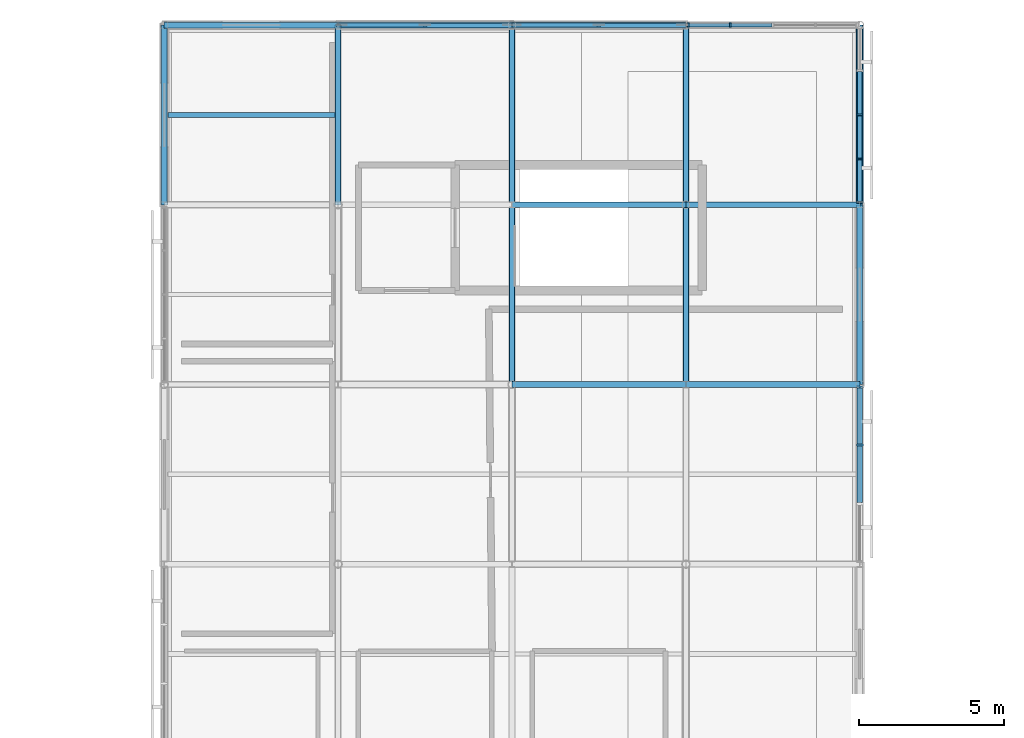
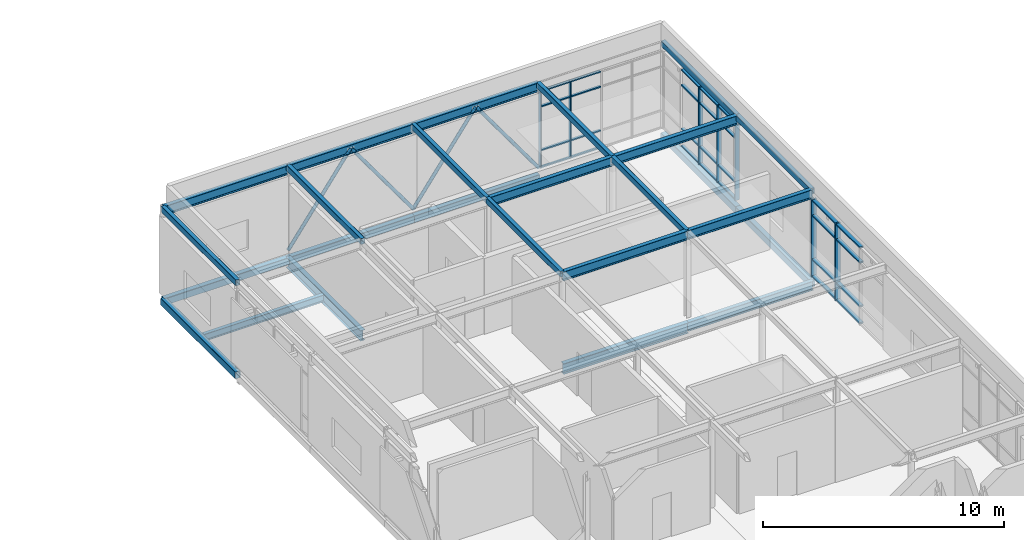
# One storey, part 9 of 16: 39 members, 25 beams, 3 elements without a shape of their own.
"""IFC4 building model written with IfcOpenShell, lengths in metres."""

from ifc_helpers import new_model, si_unit, direction, frame, origin, origin_2d, place, context, subcontext, project, spatial, rectangle, hollow_rectangle, hollow_circle, i_section, extrude, material, layer, layer_set, material_profile, profile_set, type_object, element, aggregate, save


model = new_model("IFC4")

# Units and contexts
model_context = context("Model", 3, precision=1e-05, world=origin(), true_north=direction((0.0, 1.0)))
body_context = subcontext(model_context, "Body", "Model", "MODEL_VIEW")
ifc_project = project(units=[si_unit("LENGTHUNIT", "METRE"), si_unit("AREAUNIT", "SQUARE_METRE"), si_unit("VOLUMEUNIT", "CUBIC_METRE"), si_unit("PLANEANGLEUNIT", "RADIAN"), si_unit("MASSUNIT", "GRAM", prefix="KILO")], contexts=[model_context])

# Site, building, storey
site_placement = place(None, origin())
site = spatial("IfcSite", under=ifc_project, at=site_placement, CompositionType="ELEMENT")
building_placement = place(site_placement, origin())
building = spatial("IfcBuilding", under=site, at=building_placement, Name="Mirzam Square Science Centre", CompositionType="ELEMENT")
storey_placement = place(building_placement, frame((0.0, 0.0, 25.199951171875)))
storey = spatial("IfcBuildingStorey", under=building, at=storey_placement, Name="L05", CompositionType="ELEMENT", Elevation=25.199951171875)

# Beams
ifc_material_1 = material(Name="Steel S355", Category="steel")
ifc_material_profile_1 = material_profile(ifc_material_1, i_section(OverallWidth=0.19140625, OverallDepth=0.4599609375, WebThickness=0.010009765625, FlangeThickness=0.01611328125, FilletRadius=0.01025390625, at=origin_2d()), Name="457x191x82UB")
ifc_profile_set_1 = profile_set([ifc_material_profile_1], Name="Steel S355")
beam_type_1 = type_object("IfcBeamType", Name="BM-UB457", PredefinedType="BEAM", material=ifc_profile_set_1)
for number, where, z_axis, x_axis, name in (
    (1, (132.0, 99.199951171875, -0.47998046875), (1.0, 0.0, 0.0), (0.0, 1.0, 0.0), "L05 girder X23-17"),
    (2, (126.0, 99.199951171875, 4.179931640625), (1.0, 0.0, 0.0), (0.0, 1.0, 0.0), "Observatory roof beam 22-17"),
    (3, (132.0, 99.199951171875, 4.179931640625), (1.0, 0.0, 0.0), (0.0, 1.0, 0.0), "Observatory roof beam 23-17"),
    (4, (126.0, 105.39990234375, 4.179931640625), (1.0, 0.0, 0.0), (0.0, 1.0, 0.0), "Observatory roof beam 22-18"),
    (5, (132.0, 105.39990234375, 4.179931640625), (1.0, 0.0, 0.0), (0.0, 1.0, 0.0), "Observatory roof beam 23-18"),
    (6, (114.0, 111.60009765625, 4.179931640625), (1.0, 0.0, 0.0), (0.0, 1.0, 0.0), "Observatory roof beam 20-19"),
    (7, (120.0, 111.60009765625, 4.179931640625), (1.0, 0.0, 0.0), (0.0, 1.0, 0.0), "Observatory roof beam 21-19"),
    (8, (126.0, 111.60009765625, 4.179931640625), (1.0, 0.0, 0.0), (0.0, 1.0, 0.0), "Observatory roof beam 22-19"),
):
    element("IfcBeam", number, at=place(storey_placement, frame(where, z_axis=z_axis, x_axis=x_axis)), inside=storey, type_object=beam_type_1, Name=name, PredefinedType="BEAM", context=body_context, shape_type="SweptSolid", body=[
        extrude(i_section(OverallWidth=0.19140625, OverallDepth=0.4599609375, WebThickness=0.010009765625, FlangeThickness=0.01611328125, FilletRadius=0.01025390625, at=origin_2d()), origin(), (0.0, 0.0, 1.0), 6.0),
    ])
ifc_material_profile_2 = material_profile(ifc_material_1, i_section(OverallWidth=0.2099609375, OverallDepth=0.53662109375, WebThickness=0.0107421875, FlangeThickness=0.017333984375, FilletRadius=0.0126953125, at=origin_2d()), Name="533x210x101UB")
ifc_profile_set_2 = profile_set([ifc_material_profile_2], Name="Steel S355")
beam_type_2 = type_object("IfcBeamType", Name="BM-UB533", PredefinedType="BEAM", material=ifc_profile_set_2)
beam_1_placement = place(storey_placement, frame((126.0, 99.199951171875, -0.518310546875), z_axis=(1.0, 0.0, 0.0), x_axis=(0.0, 1.0, 0.0)))
element("IfcBeam", 9, at=beam_1_placement, inside=storey, type_object=beam_type_2, Name="L05 girder X22-17", PredefinedType="BEAM", context=body_context, shape_type="SweptSolid", body=[
    extrude(i_section(OverallWidth=0.2099609375, OverallDepth=0.53662109375, WebThickness=0.0107421875, FlangeThickness=0.017333984375, FilletRadius=0.0126953125, at=origin_2d()), origin(), (0.0, 0.0, 1.0), 6.0),
])
beam_2_placement = place(storey_placement, frame((120.0, 105.39990234375, -0.518310546875), z_axis=(0.0, 1.0, 0.0), x_axis=(-1.0, 0.0, 0.0)))
element("IfcBeam", 10, at=beam_2_placement, inside=storey, type_object=beam_type_2, Name="L05 girder Y21-18", PredefinedType="BEAM", context=body_context, shape_type="SweptSolid", body=[
    extrude(i_section(OverallWidth=0.2099609375, OverallDepth=0.53662109375, WebThickness=0.0107421875, FlangeThickness=0.017333984375, FilletRadius=0.0126953125, at=origin_2d()), origin(), (0.0, 0.0, 1.0), 6.2001953125),
])

# Members
ifc_material_profile_3 = material_profile(ifc_material_1, hollow_circle(Radius=0.084228515625, WallThickness=0.008056640625, at=origin_2d()), Name="168.3x8.0CHS")
ifc_profile_set_3 = profile_set([ifc_material_profile_3], Name="Steel S355")
member_type_1 = type_object("IfcMemberType", Name="BR-CHS168", PredefinedType="BRACE", material=ifc_profile_set_3)
for number, where, z_axis, x_axis, name in (
    (11, (120.0, 111.60009765625, 0.050048828125), (0.587716587517, 0.0, 0.809066877803), (0.0, 1.0, 0.0), "L05 chevron brace 8A"),
    (12, (126.0, 111.60009765625, 0.050048828125), (-0.587716587517, 0.0, 0.809066877803), (0.0, -1.0, 0.0), "L05 chevron brace 8B"),
    (13, (126.0, 111.60009765625, 0.050048828125), (0.587716587517, 0.0, 0.809066877803), (0.0, 1.0, 0.0), "L05 chevron brace 9A"),
    (14, (132.0, 111.60009765625, 0.050048828125), (-0.587716587517, 0.0, 0.809066877803), (0.0, -1.0, 0.0), "L05 chevron brace 9B"),
):
    element("IfcMember", number, at=place(storey_placement, frame(where, z_axis=z_axis, x_axis=x_axis)), inside=storey, type_object=member_type_1, Name=name, PredefinedType="BRACE", context=body_context, shape_type="SweptSolid", body=[
        extrude(hollow_circle(Radius=0.084228515625, WallThickness=0.008056640625, at=origin_2d()), origin(), (0.0, 0.0, 1.0), 5.1044921875),
    ])

# Curtain wall, members
ifc_material_2 = material(Name="Anodised Aluminium and Low-E Solar Glass", Category="aluminium")
ifc_layer_1 = layer(ifc_material_2, 0.159912109375)
ifc_layer_set_1 = layer_set([ifc_layer_1], Name="CW-COURT-B")
curtain_wall_type_1 = type_object("IfcCurtainWallType", Name="CW-COURT-B", PredefinedType="USERDEFINED", material=ifc_layer_set_1)
curtain_wall_1_placement = place(storey_placement, origin())
curtain_wall_1 = element("IfcCurtainWall", 15, at=curtain_wall_1_placement, inside=storey, type_object=curtain_wall_type_1, Name="L05 unitised curtain wall 170", ObjectType="UNITISED CURTAIN WALL", PredefinedType="USERDEFINED")
ifc_material_3 = material(Name="Anodised Architectural Aluminium 6063-T6", Category="aluminium")
ifc_material_profile_4 = material_profile(ifc_material_3, rectangle(XDim=0.06005859375, YDim=0.159912109375, at=origin_2d()), Name="ALU-MULL-160x60x4")
ifc_profile_set_4 = profile_set([ifc_material_profile_4], Name="Anodised Architectural Aluminium 6063-T6")
member_type_2 = type_object("IfcMemberType", Name="CWM-160", PredefinedType="MULLION", material=ifc_profile_set_4)
member_1_placement = place(storey_placement, frame((133.527587890625, 111.60009765625, 0.0), z_axis=(0.0, 0.0, 1.0), x_axis=(-1.0, 0.0, 0.0)))
member_1 = element("IfcMember", 16, at=member_1_placement, type_object=member_type_2, Name="CW-04 mullion 4", PredefinedType="MULLION", context=body_context, shape_type="SweptSolid", body=[
    extrude(rectangle(XDim=0.06005859375, YDim=0.159912109375, at=origin_2d()), origin(), (0.0, 0.0, 1.0), 3.920166015625),
])
member_2_placement = place(storey_placement, frame((132.0849609375, 111.60009765625, 0.0), z_axis=(0.0, 0.0, 1.0), x_axis=(-1.0, 0.0, 0.0)))
member_2 = element("IfcMember", 17, at=member_2_placement, type_object=member_type_2, Name="CW-04 mullion 5", PredefinedType="MULLION", context=body_context, shape_type="SweptSolid", body=[
    extrude(rectangle(XDim=0.06005859375, YDim=0.159912109375, at=origin_2d()), origin(), (0.0, 0.0, 1.0), 3.920166015625),
])

ifc_layer_2 = layer(ifc_material_2, 0.179931640625)
ifc_layer_set_2 = layer_set([ifc_layer_2], Name="CW-LINK-A")
curtain_wall_type_2 = type_object("IfcCurtainWallType", Name="CW-LINK-A", PredefinedType="USERDEFINED", material=ifc_layer_set_2)
curtain_wall_2_placement = place(storey_placement, origin())
curtain_wall_2 = element("IfcCurtainWall", 18, at=curtain_wall_2_placement, inside=storey, type_object=curtain_wall_type_2, Name="L05 unitised curtain wall 169", ObjectType="UNITISED CURTAIN WALL", PredefinedType="USERDEFINED")
ifc_material_profile_5 = material_profile(ifc_material_3, rectangle(XDim=0.06494140625, YDim=0.199951171875, at=origin_2d()), Name="ALU-MULL-200x65x5")
ifc_profile_set_5 = profile_set([ifc_material_profile_5], Name="Anodised Architectural Aluminium 6063-T6")
member_type_3 = type_object("IfcMemberType", Name="CWM-200", PredefinedType="MULLION", material=ifc_profile_set_5)
member_3_placement = place(storey_placement, frame((138.0, 105.487548828125, 0.0), z_axis=(0.0, 0.0, 1.0), x_axis=(0.0, 1.0, 0.0)))
member_3 = element("IfcMember", 19, at=member_3_placement, type_object=member_type_3, Name="CW-08 mullion 1", PredefinedType="MULLION", context=body_context, shape_type="SweptSolid", body=[
    extrude(rectangle(XDim=0.06494140625, YDim=0.199951171875, at=origin_2d()), origin(), (0.0, 0.0, 1.0), 3.920166015625),
])
member_4_placement = place(storey_placement, frame((138.0, 106.9775390625, 0.0), z_axis=(0.0, 0.0, 1.0), x_axis=(0.0, 1.0, 0.0)))
member_4 = element("IfcMember", 20, at=member_4_placement, type_object=member_type_3, Name="CW-08 mullion 2", PredefinedType="MULLION", context=body_context, shape_type="SweptSolid", body=[
    extrude(rectangle(XDim=0.06494140625, YDim=0.199951171875, at=origin_2d()), origin(), (0.0, 0.0, 1.0), 3.920166015625),
])
member_5_placement = place(storey_placement, frame((138.0, 108.5, 0.0), z_axis=(0.0, 0.0, 1.0), x_axis=(0.0, 1.0, 0.0)))
member_5 = element("IfcMember", 21, at=member_5_placement, type_object=member_type_3, Name="CW-08 mullion 3", PredefinedType="MULLION", context=body_context, shape_type="SweptSolid", body=[
    extrude(rectangle(XDim=0.06494140625, YDim=0.199951171875, at=origin_2d()), origin(), (0.0, 0.0, 1.0), 3.920166015625),
])

ifc_layer_3 = layer(ifc_material_2, 0.239990234375)
ifc_layer_set_3 = layer_set([ifc_layer_3], Name="CW-EAST-B")
curtain_wall_type_3 = type_object("IfcCurtainWallType", Name="CW-EAST-B", PredefinedType="USERDEFINED", material=ifc_layer_set_3)
curtain_wall_3_placement = place(storey_placement, origin())
curtain_wall_3 = element("IfcCurtainWall", 22, at=curtain_wall_3_placement, inside=storey, type_object=curtain_wall_type_3, Name="L05 unitised curtain wall 168", ObjectType="UNITISED CURTAIN WALL", PredefinedType="USERDEFINED")
ifc_material_profile_6 = material_profile(ifc_material_3, rectangle(XDim=0.074951171875, YDim=0.239990234375, at=origin_2d()), Name="ALU-MULL-240x75x5")
ifc_profile_set_6 = profile_set([ifc_material_profile_6], Name="Anodised Architectural Aluminium 6063-T6")
member_type_4 = type_object("IfcMemberType", Name="CWM-240", PredefinedType="MULLION", material=ifc_profile_set_6)
member_6_placement = place(storey_placement, frame((138.0, 97.114990234375, 0.0), z_axis=(0.0, 0.0, 1.0), x_axis=(0.0, 1.0, 0.0)))
member_6 = element("IfcMember", 23, at=member_6_placement, type_object=member_type_4, Name="CW-06 mullion 3", PredefinedType="MULLION", context=body_context, shape_type="SweptSolid", body=[
    extrude(rectangle(XDim=0.074951171875, YDim=0.239990234375, at=origin_2d()), origin(), (0.0, 0.0, 1.0), 3.920166015625),
])
member_7_placement = place(storey_placement, frame((138.0, 99.107421875, 0.0), z_axis=(0.0, 0.0, 1.0), x_axis=(0.0, 1.0, 0.0)))
member_7 = element("IfcMember", 24, at=member_7_placement, type_object=member_type_4, Name="CW-06 mullion 4", PredefinedType="MULLION", context=body_context, shape_type="SweptSolid", body=[
    extrude(rectangle(XDim=0.074951171875, YDim=0.239990234375, at=origin_2d()), origin(), (0.0, 0.0, 1.0), 3.920166015625),
])

# Member
ifc_material_profile_7 = material_profile(ifc_material_3, rectangle(XDim=0.1201171875, YDim=0.06005859375, at=origin_2d()), Name="ALU-TRAN-120x60x4")
ifc_profile_set_7 = profile_set([ifc_material_profile_7], Name="Anodised Architectural Aluminium 6063-T6")
member_type_5 = type_object("IfcMemberType", Name="CWT-120", PredefinedType="USERDEFINED", material=ifc_profile_set_7)
member_8_placement = place(storey_placement, frame((134.969970703125, 111.60009765625, 0.030029296875), z_axis=(-1.0, 0.0, 0.0), x_axis=(0.0, -1.0, 0.0)))
member_8 = element("IfcMember", 25, at=member_8_placement, type_object=member_type_5, Name="CW-04 transom 3.1", ObjectType="TRANSOM", PredefinedType="USERDEFINED", context=body_context, shape_type="SweptSolid", body=[
    extrude(rectangle(XDim=0.1201171875, YDim=0.06005859375, at=origin_2d()), origin(), (0.0, 0.0, 1.0), 1.412353515625),
])

member_9_placement = place(storey_placement, frame((134.969970703125, 111.60009765625, 0.900146484375), z_axis=(-1.0, 0.0, 0.0), x_axis=(0.0, -1.0, 0.0)))
member_9 = element("IfcMember", 26, at=member_9_placement, type_object=member_type_5, Name="CW-04 transom 3.2", ObjectType="TRANSOM", PredefinedType="USERDEFINED", context=body_context, shape_type="SweptSolid", body=[
    extrude(rectangle(XDim=0.1201171875, YDim=0.06005859375, at=origin_2d()), origin(), (0.0, 0.0, 1.0), 1.412353515625),
])

member_10_placement = place(storey_placement, frame((134.969970703125, 111.60009765625, 3.1201171875), z_axis=(-1.0, 0.0, 0.0), x_axis=(0.0, -1.0, 0.0)))
member_10 = element("IfcMember", 27, at=member_10_placement, type_object=member_type_5, Name="CW-04 transom 3.3", ObjectType="TRANSOM", PredefinedType="USERDEFINED", context=body_context, shape_type="SweptSolid", body=[
    extrude(rectangle(XDim=0.1201171875, YDim=0.06005859375, at=origin_2d()), origin(), (0.0, 0.0, 1.0), 1.412353515625),
])

member_11_placement = place(storey_placement, frame((134.969970703125, 111.60009765625, 3.89013671875), z_axis=(-1.0, 0.0, 0.0), x_axis=(0.0, -1.0, 0.0)))
member_11 = element("IfcMember", 28, at=member_11_placement, type_object=member_type_5, Name="CW-04 transom 3.4", ObjectType="TRANSOM", PredefinedType="USERDEFINED", context=body_context, shape_type="SweptSolid", body=[
    extrude(rectangle(XDim=0.1201171875, YDim=0.06005859375, at=origin_2d()), origin(), (0.0, 0.0, 1.0), 1.412353515625),
])

member_12_placement = place(storey_placement, frame((133.49755859375, 111.60009765625, 0.030029296875), z_axis=(-1.0, 0.0, 0.0), x_axis=(0.0, -1.0, 0.0)))
member_12 = element("IfcMember", 29, at=member_12_placement, type_object=member_type_5, Name="CW-04 transom 4.1", ObjectType="TRANSOM", PredefinedType="USERDEFINED", context=body_context, shape_type="SweptSolid", body=[
    extrude(rectangle(XDim=0.1201171875, YDim=0.06005859375, at=origin_2d()), origin(), (0.0, 0.0, 1.0), 1.382568359375),
])

member_13_placement = place(storey_placement, frame((133.49755859375, 111.60009765625, 0.900146484375), z_axis=(-1.0, 0.0, 0.0), x_axis=(0.0, -1.0, 0.0)))
member_13 = element("IfcMember", 30, at=member_13_placement, type_object=member_type_5, Name="CW-04 transom 4.2", ObjectType="TRANSOM", PredefinedType="USERDEFINED", context=body_context, shape_type="SweptSolid", body=[
    extrude(rectangle(XDim=0.1201171875, YDim=0.06005859375, at=origin_2d()), origin(), (0.0, 0.0, 1.0), 1.382568359375),
])

member_14_placement = place(storey_placement, frame((133.49755859375, 111.60009765625, 3.1201171875), z_axis=(-1.0, 0.0, 0.0), x_axis=(0.0, -1.0, 0.0)))
member_14 = element("IfcMember", 31, at=member_14_placement, type_object=member_type_5, Name="CW-04 transom 4.3", ObjectType="TRANSOM", PredefinedType="USERDEFINED", context=body_context, shape_type="SweptSolid", body=[
    extrude(rectangle(XDim=0.1201171875, YDim=0.06005859375, at=origin_2d()), origin(), (0.0, 0.0, 1.0), 1.382568359375),
])

member_15_placement = place(storey_placement, frame((133.49755859375, 111.60009765625, 3.89013671875), z_axis=(-1.0, 0.0, 0.0), x_axis=(0.0, -1.0, 0.0)))
member_15 = element("IfcMember", 32, at=member_15_placement, type_object=member_type_5, Name="CW-04 transom 4.4", ObjectType="TRANSOM", PredefinedType="USERDEFINED", context=body_context, shape_type="SweptSolid", body=[
    extrude(rectangle(XDim=0.1201171875, YDim=0.06005859375, at=origin_2d()), origin(), (0.0, 0.0, 1.0), 1.382568359375),
])

aggregate(curtain_wall_1, [member_1, member_2, member_8, member_9, member_10, member_11, member_12, member_13, member_14, member_15])

ifc_material_profile_8 = material_profile(ifc_material_3, rectangle(XDim=0.14990234375, YDim=0.06494140625, at=origin_2d()), Name="ALU-TRAN-150x65x4")
ifc_profile_set_8 = profile_set([ifc_material_profile_8], Name="Anodised Architectural Aluminium 6063-T6")
member_type_6 = type_object("IfcMemberType", Name="CWT-150", PredefinedType="USERDEFINED", material=ifc_profile_set_8)
member_16_placement = place(storey_placement, frame((138.0, 105.52001953125, 0.032470703125), z_axis=(0.0, 1.0, 0.0), x_axis=(-1.0, 0.0, 0.0)))
member_16 = element("IfcMember", 33, at=member_16_placement, type_object=member_type_6, Name="CW-08 transom 1.1", ObjectType="TRANSOM", PredefinedType="USERDEFINED", context=body_context, shape_type="SweptSolid", body=[
    extrude(rectangle(XDim=0.14990234375, YDim=0.06494140625, at=origin_2d()), origin(), (0.0, 0.0, 1.0), 1.425048828125),
])

member_17_placement = place(storey_placement, frame((138.0, 105.52001953125, 0.900146484375), z_axis=(0.0, 1.0, 0.0), x_axis=(-1.0, 0.0, 0.0)))
member_17 = element("IfcMember", 34, at=member_17_placement, type_object=member_type_6, Name="CW-08 transom 1.2", ObjectType="TRANSOM", PredefinedType="USERDEFINED", context=body_context, shape_type="SweptSolid", body=[
    extrude(rectangle(XDim=0.14990234375, YDim=0.06494140625, at=origin_2d()), origin(), (0.0, 0.0, 1.0), 1.425048828125),
])

member_18_placement = place(storey_placement, frame((138.0, 105.52001953125, 3.1201171875), z_axis=(0.0, 1.0, 0.0), x_axis=(-1.0, 0.0, 0.0)))
member_18 = element("IfcMember", 35, at=member_18_placement, type_object=member_type_6, Name="CW-08 transom 1.3", ObjectType="TRANSOM", PredefinedType="USERDEFINED", context=body_context, shape_type="SweptSolid", body=[
    extrude(rectangle(XDim=0.14990234375, YDim=0.06494140625, at=origin_2d()), origin(), (0.0, 0.0, 1.0), 1.425048828125),
])

member_19_placement = place(storey_placement, frame((138.0, 105.52001953125, 3.887451171875), z_axis=(0.0, 1.0, 0.0), x_axis=(-1.0, 0.0, 0.0)))
member_19 = element("IfcMember", 36, at=member_19_placement, type_object=member_type_6, Name="CW-08 transom 1.4", ObjectType="TRANSOM", PredefinedType="USERDEFINED", context=body_context, shape_type="SweptSolid", body=[
    extrude(rectangle(XDim=0.14990234375, YDim=0.06494140625, at=origin_2d()), origin(), (0.0, 0.0, 1.0), 1.425048828125),
])

member_20_placement = place(storey_placement, frame((138.0, 107.010009765625, 0.032470703125), z_axis=(0.0, 1.0, 0.0), x_axis=(-1.0, 0.0, 0.0)))
member_20 = element("IfcMember", 37, at=member_20_placement, type_object=member_type_6, Name="CW-08 transom 2.1", ObjectType="TRANSOM", PredefinedType="USERDEFINED", context=body_context, shape_type="SweptSolid", body=[
    extrude(rectangle(XDim=0.14990234375, YDim=0.06494140625, at=origin_2d()), origin(), (0.0, 0.0, 1.0), 1.45751953125),
])

member_21_placement = place(storey_placement, frame((138.0, 107.010009765625, 0.900146484375), z_axis=(0.0, 1.0, 0.0), x_axis=(-1.0, 0.0, 0.0)))
member_21 = element("IfcMember", 38, at=member_21_placement, type_object=member_type_6, Name="CW-08 transom 2.2", ObjectType="TRANSOM", PredefinedType="USERDEFINED", context=body_context, shape_type="SweptSolid", body=[
    extrude(rectangle(XDim=0.14990234375, YDim=0.06494140625, at=origin_2d()), origin(), (0.0, 0.0, 1.0), 1.45751953125),
])

member_22_placement = place(storey_placement, frame((138.0, 107.010009765625, 3.1201171875), z_axis=(0.0, 1.0, 0.0), x_axis=(-1.0, 0.0, 0.0)))
member_22 = element("IfcMember", 39, at=member_22_placement, type_object=member_type_6, Name="CW-08 transom 2.3", ObjectType="TRANSOM", PredefinedType="USERDEFINED", context=body_context, shape_type="SweptSolid", body=[
    extrude(rectangle(XDim=0.14990234375, YDim=0.06494140625, at=origin_2d()), origin(), (0.0, 0.0, 1.0), 1.45751953125),
])

member_23_placement = place(storey_placement, frame((138.0, 107.010009765625, 3.887451171875), z_axis=(0.0, 1.0, 0.0), x_axis=(-1.0, 0.0, 0.0)))
member_23 = element("IfcMember", 40, at=member_23_placement, type_object=member_type_6, Name="CW-08 transom 2.4", ObjectType="TRANSOM", PredefinedType="USERDEFINED", context=body_context, shape_type="SweptSolid", body=[
    extrude(rectangle(XDim=0.14990234375, YDim=0.06494140625, at=origin_2d()), origin(), (0.0, 0.0, 1.0), 1.45751953125),
])

member_24_placement = place(storey_placement, frame((138.0, 108.532470703125, 0.032470703125), z_axis=(0.0, 1.0, 0.0), x_axis=(-1.0, 0.0, 0.0)))
member_24 = element("IfcMember", 41, at=member_24_placement, type_object=member_type_6, Name="CW-08 transom 3.1", ObjectType="TRANSOM", PredefinedType="USERDEFINED", context=body_context, shape_type="SweptSolid", body=[
    extrude(rectangle(XDim=0.14990234375, YDim=0.06494140625, at=origin_2d()), origin(), (0.0, 0.0, 1.0), 1.45751953125),
])

member_25_placement = place(storey_placement, frame((138.0, 108.532470703125, 0.900146484375), z_axis=(0.0, 1.0, 0.0), x_axis=(-1.0, 0.0, 0.0)))
member_25 = element("IfcMember", 42, at=member_25_placement, type_object=member_type_6, Name="CW-08 transom 3.2", ObjectType="TRANSOM", PredefinedType="USERDEFINED", context=body_context, shape_type="SweptSolid", body=[
    extrude(rectangle(XDim=0.14990234375, YDim=0.06494140625, at=origin_2d()), origin(), (0.0, 0.0, 1.0), 1.45751953125),
])

member_26_placement = place(storey_placement, frame((138.0, 108.532470703125, 3.1201171875), z_axis=(0.0, 1.0, 0.0), x_axis=(-1.0, 0.0, 0.0)))
member_26 = element("IfcMember", 43, at=member_26_placement, type_object=member_type_6, Name="CW-08 transom 3.3", ObjectType="TRANSOM", PredefinedType="USERDEFINED", context=body_context, shape_type="SweptSolid", body=[
    extrude(rectangle(XDim=0.14990234375, YDim=0.06494140625, at=origin_2d()), origin(), (0.0, 0.0, 1.0), 1.45751953125),
])

member_27_placement = place(storey_placement, frame((138.0, 108.532470703125, 3.887451171875), z_axis=(0.0, 1.0, 0.0), x_axis=(-1.0, 0.0, 0.0)))
member_27 = element("IfcMember", 44, at=member_27_placement, type_object=member_type_6, Name="CW-08 transom 3.4", ObjectType="TRANSOM", PredefinedType="USERDEFINED", context=body_context, shape_type="SweptSolid", body=[
    extrude(rectangle(XDim=0.14990234375, YDim=0.06494140625, at=origin_2d()), origin(), (0.0, 0.0, 1.0), 1.45751953125),
])

aggregate(curtain_wall_2, [member_3, member_4, member_5, member_16, member_17, member_18, member_19, member_20, member_21, member_22, member_23, member_24, member_25, member_26, member_27])

ifc_material_profile_9 = material_profile(ifc_material_3, rectangle(XDim=0.179931640625, YDim=0.074951171875, at=origin_2d()), Name="ALU-TRAN-180x75x5")
ifc_profile_set_9 = profile_set([ifc_material_profile_9], Name="Anodised Architectural Aluminium 6063-T6")
member_type_7 = type_object("IfcMemberType", Name="CWT-180", PredefinedType="USERDEFINED", material=ifc_profile_set_9)
member_28_placement = place(storey_placement, frame((138.0, 95.12255859375, 0.03759765625), z_axis=(0.0, 1.0, 0.0), x_axis=(-1.0, 0.0, 0.0)))
member_28 = element("IfcMember", 45, at=member_28_placement, type_object=member_type_7, Name="CW-06 transom 2.1", ObjectType="TRANSOM", PredefinedType="USERDEFINED", context=body_context, shape_type="SweptSolid", body=[
    extrude(rectangle(XDim=0.179931640625, YDim=0.074951171875, at=origin_2d()), origin(), (0.0, 0.0, 1.0), 1.954833984375),
])

member_29_placement = place(storey_placement, frame((138.0, 95.12255859375, 0.900146484375), z_axis=(0.0, 1.0, 0.0), x_axis=(-1.0, 0.0, 0.0)))
member_29 = element("IfcMember", 46, at=member_29_placement, type_object=member_type_7, Name="CW-06 transom 2.2", ObjectType="TRANSOM", PredefinedType="USERDEFINED", context=body_context, shape_type="SweptSolid", body=[
    extrude(rectangle(XDim=0.179931640625, YDim=0.074951171875, at=origin_2d()), origin(), (0.0, 0.0, 1.0), 1.954833984375),
])

member_30_placement = place(storey_placement, frame((138.0, 95.12255859375, 3.1201171875), z_axis=(0.0, 1.0, 0.0), x_axis=(-1.0, 0.0, 0.0)))
member_30 = element("IfcMember", 47, at=member_30_placement, type_object=member_type_7, Name="CW-06 transom 2.3", ObjectType="TRANSOM", PredefinedType="USERDEFINED", context=body_context, shape_type="SweptSolid", body=[
    extrude(rectangle(XDim=0.179931640625, YDim=0.074951171875, at=origin_2d()), origin(), (0.0, 0.0, 1.0), 1.954833984375),
])

member_31_placement = place(storey_placement, frame((138.0, 95.12255859375, 3.882568359375), z_axis=(0.0, 1.0, 0.0), x_axis=(-1.0, 0.0, 0.0)))
member_31 = element("IfcMember", 48, at=member_31_placement, type_object=member_type_7, Name="CW-06 transom 2.4", ObjectType="TRANSOM", PredefinedType="USERDEFINED", context=body_context, shape_type="SweptSolid", body=[
    extrude(rectangle(XDim=0.179931640625, YDim=0.074951171875, at=origin_2d()), origin(), (0.0, 0.0, 1.0), 1.954833984375),
])

member_32_placement = place(storey_placement, frame((138.0, 97.152587890625, 0.03759765625), z_axis=(0.0, 1.0, 0.0), x_axis=(-1.0, 0.0, 0.0)))
member_32 = element("IfcMember", 49, at=member_32_placement, type_object=member_type_7, Name="CW-06 transom 3.1", ObjectType="TRANSOM", PredefinedType="USERDEFINED", context=body_context, shape_type="SweptSolid", body=[
    extrude(rectangle(XDim=0.179931640625, YDim=0.074951171875, at=origin_2d()), origin(), (0.0, 0.0, 1.0), 1.91748046875),
])

member_33_placement = place(storey_placement, frame((138.0, 97.152587890625, 0.900146484375), z_axis=(0.0, 1.0, 0.0), x_axis=(-1.0, 0.0, 0.0)))
member_33 = element("IfcMember", 50, at=member_33_placement, type_object=member_type_7, Name="CW-06 transom 3.2", ObjectType="TRANSOM", PredefinedType="USERDEFINED", context=body_context, shape_type="SweptSolid", body=[
    extrude(rectangle(XDim=0.179931640625, YDim=0.074951171875, at=origin_2d()), origin(), (0.0, 0.0, 1.0), 1.91748046875),
])

member_34_placement = place(storey_placement, frame((138.0, 97.152587890625, 3.1201171875), z_axis=(0.0, 1.0, 0.0), x_axis=(-1.0, 0.0, 0.0)))
member_34 = element("IfcMember", 51, at=member_34_placement, type_object=member_type_7, Name="CW-06 transom 3.3", ObjectType="TRANSOM", PredefinedType="USERDEFINED", context=body_context, shape_type="SweptSolid", body=[
    extrude(rectangle(XDim=0.179931640625, YDim=0.074951171875, at=origin_2d()), origin(), (0.0, 0.0, 1.0), 1.91748046875),
])

member_35_placement = place(storey_placement, frame((138.0, 97.152587890625, 3.882568359375), z_axis=(0.0, 1.0, 0.0), x_axis=(-1.0, 0.0, 0.0)))
member_35 = element("IfcMember", 52, at=member_35_placement, type_object=member_type_7, Name="CW-06 transom 3.4", ObjectType="TRANSOM", PredefinedType="USERDEFINED", context=body_context, shape_type="SweptSolid", body=[
    extrude(rectangle(XDim=0.179931640625, YDim=0.074951171875, at=origin_2d()), origin(), (0.0, 0.0, 1.0), 1.91748046875),
])

aggregate(curtain_wall_3, [member_6, member_7, member_28, member_29, member_30, member_31, member_32, member_33, member_34, member_35])

# Beams
ifc_material_profile_10 = material_profile(ifc_material_1, i_section(OverallWidth=0.172119140625, OverallDepth=0.35791015625, WebThickness=0.008056640625, FlangeThickness=0.012939453125, FilletRadius=0.01025390625, at=origin_2d()), Name="356x171x57UB")
ifc_profile_set_10 = profile_set([ifc_material_profile_10], Name="Steel S355")
beam_type_3 = type_object("IfcBeamType", Name="JS-UB356", PredefinedType="JOIST", material=ifc_profile_set_10)
beam_3_placement = place(storey_placement, frame((114.125, 108.5, -0.428955078125), z_axis=(1.0, 0.0, 0.0), x_axis=(0.0, 1.0, 0.0)))
element("IfcBeam", 53, at=beam_3_placement, inside=storey, type_object=beam_type_3, Name="L05 composite joist 20-18", PredefinedType="JOIST", context=body_context, shape_type="SweptSolid", body=[
    extrude(i_section(OverallWidth=0.172119140625, OverallDepth=0.35791015625, WebThickness=0.008056640625, FlangeThickness=0.012939453125, FilletRadius=0.01025390625, at=origin_2d()), origin(), (0.0, 0.0, 1.0), 5.77001953125),
])
ifc_material_profile_11 = material_profile(ifc_material_1, hollow_rectangle(XDim=0.199951171875, YDim=0.300048828125, WallThickness=0.010009765625, InnerFilletRadius=0.010009765625, OuterFilletRadius=0.02001953125, at=origin_2d()), Name="300x200x10.0RHS")
ifc_profile_set_11 = profile_set([ifc_material_profile_11], Name="Steel S355")
beam_type_4 = type_object("IfcBeamType", Name="SP-RHS300", PredefinedType="SPANDREL", material=ifc_profile_set_11)
for number, where, z_axis, x_axis, name in (
    (54, (114.0, 105.39990234375, 4.260009765625), (0.0, 1.0, 0.0), (-1.0, 0.0, 0.0), "Observatory roof edge beam 20-18"),
    (55, (120.0, 105.39990234375, 4.260009765625), (0.0, 1.0, 0.0), (-1.0, 0.0, 0.0), "Observatory roof edge beam 21-18"),
):
    element("IfcBeam", number, at=place(storey_placement, frame(where, z_axis=z_axis, x_axis=x_axis)), inside=storey, type_object=beam_type_4, Name=name, PredefinedType="SPANDREL", context=body_context, shape_type="SweptSolid", body=[
        extrude(hollow_rectangle(XDim=0.199951171875, YDim=0.300048828125, WallThickness=0.010009765625, InnerFilletRadius=0.010009765625, OuterFilletRadius=0.02001953125, at=origin_2d()), origin(), (0.0, 0.0, 1.0), 6.2001953125),
    ])
beam_4_placement = place(storey_placement, frame((126.0, 99.199951171875, 4.260009765625), z_axis=(0.0, 1.0, 0.0), x_axis=(-1.0, 0.0, 0.0)))
element("IfcBeam", 56, at=beam_4_placement, inside=storey, type_object=beam_type_4, Name="Observatory roof edge beam 22-17", PredefinedType="SPANDREL", context=body_context, shape_type="SweptSolid", body=[
    extrude(hollow_rectangle(XDim=0.199951171875, YDim=0.300048828125, WallThickness=0.010009765625, InnerFilletRadius=0.010009765625, OuterFilletRadius=0.02001953125, at=origin_2d()), origin(), (0.0, 0.0, 1.0), 6.199951171875),
])
beam_5_placement = place(storey_placement, frame((126.0, 105.39990234375, 4.260009765625), z_axis=(0.0, 1.0, 0.0), x_axis=(-1.0, 0.0, 0.0)))
element("IfcBeam", 57, at=beam_5_placement, inside=storey, type_object=beam_type_4, Name="Observatory roof edge beam 22-18", PredefinedType="SPANDREL", context=body_context, shape_type="SweptSolid", body=[
    extrude(hollow_rectangle(XDim=0.199951171875, YDim=0.300048828125, WallThickness=0.010009765625, InnerFilletRadius=0.010009765625, OuterFilletRadius=0.02001953125, at=origin_2d()), origin(), (0.0, 0.0, 1.0), 6.2001953125),
])
beam_6_placement = place(storey_placement, frame((132.0, 99.199951171875, 4.260009765625), z_axis=(0.0, 1.0, 0.0), x_axis=(-1.0, 0.0, 0.0)))
element("IfcBeam", 58, at=beam_6_placement, inside=storey, type_object=beam_type_4, Name="Observatory roof edge beam 23-17", PredefinedType="SPANDREL", context=body_context, shape_type="SweptSolid", body=[
    extrude(hollow_rectangle(XDim=0.199951171875, YDim=0.300048828125, WallThickness=0.010009765625, InnerFilletRadius=0.010009765625, OuterFilletRadius=0.02001953125, at=origin_2d()), origin(), (0.0, 0.0, 1.0), 6.199951171875),
])
beam_7_placement = place(storey_placement, frame((132.0, 105.39990234375, 4.260009765625), z_axis=(0.0, 1.0, 0.0), x_axis=(-1.0, 0.0, 0.0)))
element("IfcBeam", 59, at=beam_7_placement, inside=storey, type_object=beam_type_4, Name="Observatory roof edge beam 23-18", PredefinedType="SPANDREL", context=body_context, shape_type="SweptSolid", body=[
    extrude(hollow_rectangle(XDim=0.199951171875, YDim=0.300048828125, WallThickness=0.010009765625, InnerFilletRadius=0.010009765625, OuterFilletRadius=0.02001953125, at=origin_2d()), origin(), (0.0, 0.0, 1.0), 6.2001953125),
])
beam_8_placement = place(storey_placement, frame((138.0, 99.199951171875, 4.260009765625), z_axis=(0.0, 1.0, 0.0), x_axis=(-1.0, 0.0, 0.0)))
element("IfcBeam", 60, at=beam_8_placement, inside=storey, type_object=beam_type_4, Name="Observatory roof edge beam 24-17", PredefinedType="SPANDREL", context=body_context, shape_type="SweptSolid", body=[
    extrude(hollow_rectangle(XDim=0.199951171875, YDim=0.300048828125, WallThickness=0.010009765625, InnerFilletRadius=0.010009765625, OuterFilletRadius=0.02001953125, at=origin_2d()), origin(), (0.0, 0.0, 1.0), 6.199951171875),
])
beam_9_placement = place(storey_placement, frame((138.0, 105.39990234375, 4.260009765625), z_axis=(0.0, 1.0, 0.0), x_axis=(-1.0, 0.0, 0.0)))
element("IfcBeam", 61, at=beam_9_placement, inside=storey, type_object=beam_type_4, Name="Observatory roof edge beam 24-18", PredefinedType="SPANDREL", context=body_context, shape_type="SweptSolid", body=[
    extrude(hollow_rectangle(XDim=0.199951171875, YDim=0.300048828125, WallThickness=0.010009765625, InnerFilletRadius=0.010009765625, OuterFilletRadius=0.02001953125, at=origin_2d()), origin(), (0.0, 0.0, 1.0), 6.2001953125),
])
ifc_material_profile_12 = material_profile(ifc_material_1, hollow_rectangle(XDim=0.25, YDim=0.35009765625, WallThickness=0.012451171875, InnerFilletRadius=0.012451171875, OuterFilletRadius=0.02490234375, at=origin_2d()), Name="350x250x12.5RHS")
ifc_profile_set_12 = profile_set([ifc_material_profile_12], Name="Steel S355")
beam_type_5 = type_object("IfcBeamType", Name="SP-RHS350", PredefinedType="SPANDREL", material=ifc_profile_set_12)
for number, where, z_axis, x_axis, name in (
    (62, (114.0, 111.60009765625, -0.425048828125), (1.0, 0.0, 0.0), (0.0, 1.0, 0.0), "L05 girder X20-19"),
    (63, (120.0, 111.60009765625, -0.425048828125), (1.0, 0.0, 0.0), (0.0, 1.0, 0.0), "L05 girder X21-19"),
    (64, (126.0, 111.60009765625, -0.425048828125), (1.0, 0.0, 0.0), (0.0, 1.0, 0.0), "L05 girder X22-19"),
):
    element("IfcBeam", number, at=place(storey_placement, frame(where, z_axis=z_axis, x_axis=x_axis)), inside=storey, type_object=beam_type_5, Name=name, PredefinedType="SPANDREL", context=body_context, shape_type="SweptSolid", body=[
        extrude(hollow_rectangle(XDim=0.25, YDim=0.35009765625, WallThickness=0.012451171875, InnerFilletRadius=0.012451171875, OuterFilletRadius=0.02490234375, at=origin_2d()), origin(), (0.0, 0.0, 1.0), 6.0),
    ])
beam_10_placement = place(storey_placement, frame((114.0, 105.39990234375, -0.425048828125), z_axis=(0.0, 1.0, 0.0), x_axis=(-1.0, 0.0, 0.0)))
element("IfcBeam", 65, at=beam_10_placement, inside=storey, type_object=beam_type_5, Name="L05 girder Y20-18", PredefinedType="SPANDREL", context=body_context, shape_type="SweptSolid", body=[
    extrude(hollow_rectangle(XDim=0.25, YDim=0.35009765625, WallThickness=0.012451171875, InnerFilletRadius=0.012451171875, OuterFilletRadius=0.02490234375, at=origin_2d()), origin(), (0.0, 0.0, 1.0), 6.2001953125),
])
beam_11_placement = place(storey_placement, frame((138.0, 99.199951171875, -0.425048828125), z_axis=(0.0, 1.0, 0.0), x_axis=(-1.0, 0.0, 0.0)))
element("IfcBeam", 66, at=beam_11_placement, inside=storey, type_object=beam_type_5, Name="L05 girder Y24-17", PredefinedType="SPANDREL", context=body_context, shape_type="SweptSolid", body=[
    extrude(hollow_rectangle(XDim=0.25, YDim=0.35009765625, WallThickness=0.012451171875, InnerFilletRadius=0.012451171875, OuterFilletRadius=0.02490234375, at=origin_2d()), origin(), (0.0, 0.0, 1.0), 6.199951171875),
])
beam_12_placement = place(storey_placement, frame((138.0, 105.39990234375, -0.425048828125), z_axis=(0.0, 1.0, 0.0), x_axis=(-1.0, 0.0, 0.0)))
element("IfcBeam", 67, at=beam_12_placement, inside=storey, type_object=beam_type_5, Name="L05 girder Y24-18", PredefinedType="SPANDREL", context=body_context, shape_type="SweptSolid", body=[
    extrude(hollow_rectangle(XDim=0.25, YDim=0.35009765625, WallThickness=0.012451171875, InnerFilletRadius=0.012451171875, OuterFilletRadius=0.02490234375, at=origin_2d()), origin(), (0.0, 0.0, 1.0), 6.2001953125),
])

save(model, "model.ifc")
